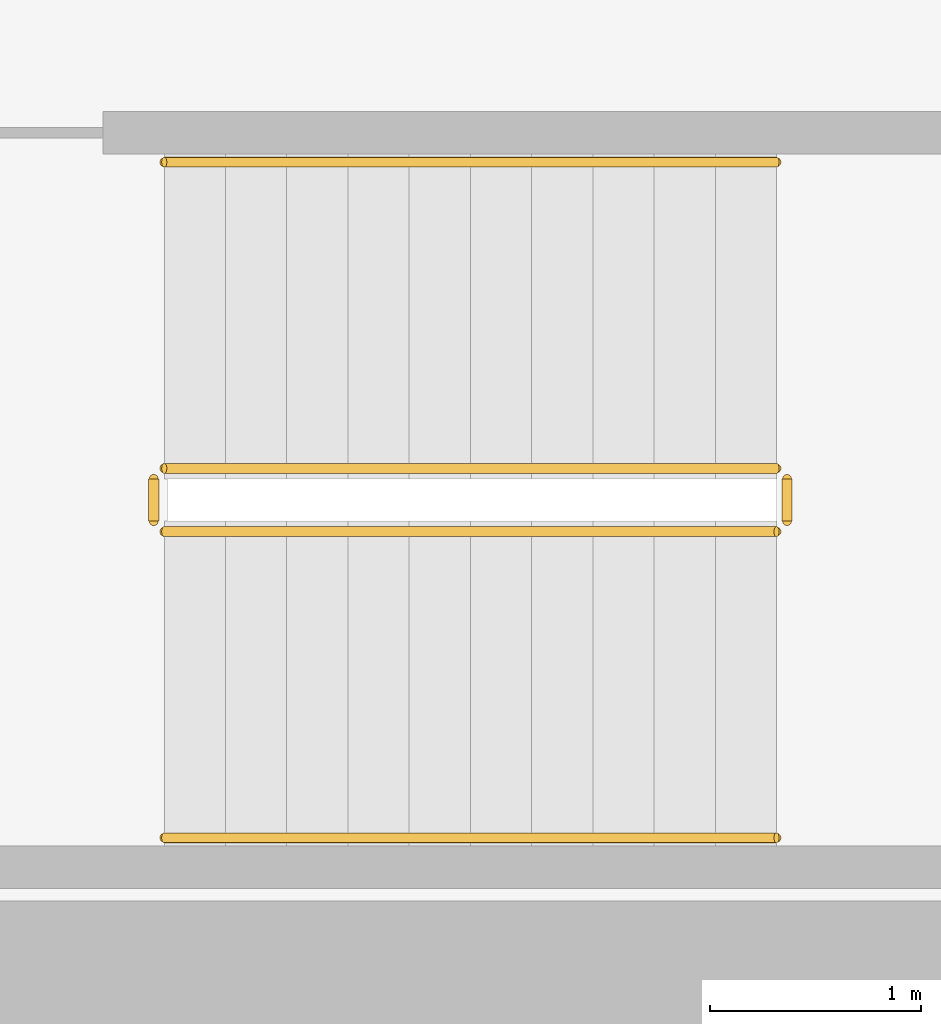
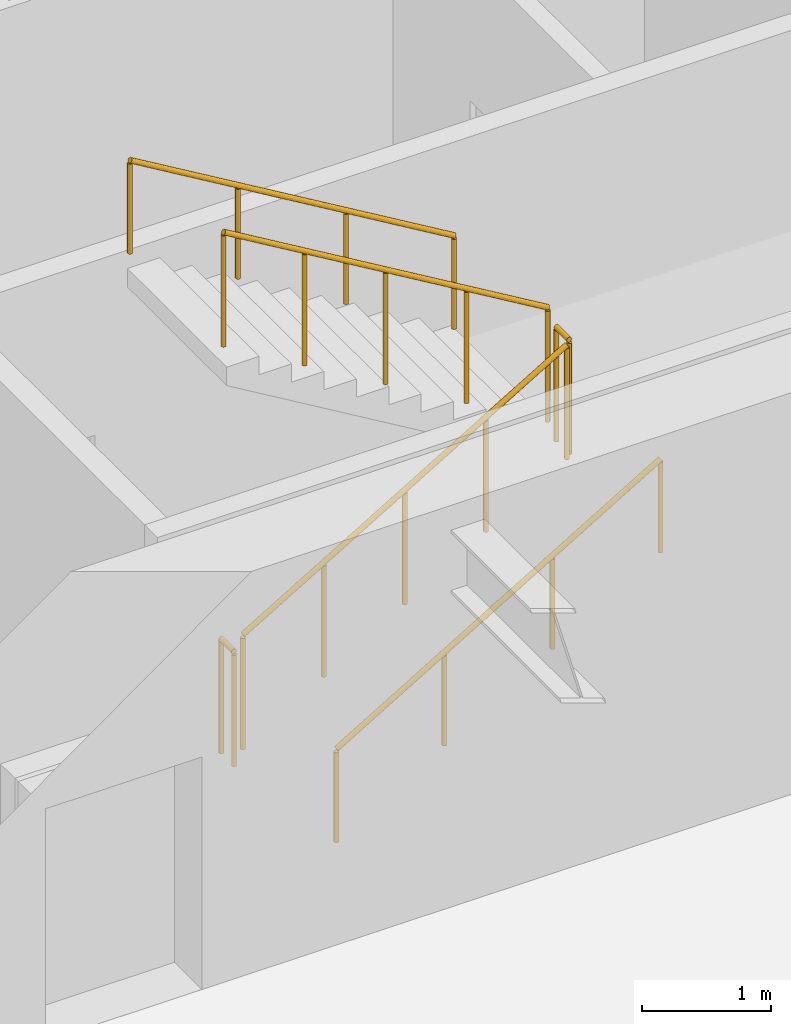
# One storey, part 19 of 20: 6 railings.
"""IFC4 building model written with IfcOpenShell, lengths in metres."""

from ifc_helpers import new_model, si_unit, direction, frame, origin, origin_2d, place, context, subcontext, project, spatial, circle, extrude, material, type_object, element, save


model = new_model("IFC4")

# Units and contexts
model_context = context("Model", 3, precision=1e-05, world=origin(), true_north=direction((0.0, 1.0)))
body_context = subcontext(model_context, "Body", "Model", "MODEL_VIEW")
ifc_project = project(units=[si_unit("LENGTHUNIT", "METRE"), si_unit("AREAUNIT", "SQUARE_METRE"), si_unit("VOLUMEUNIT", "CUBIC_METRE"), si_unit("PLANEANGLEUNIT", "RADIAN"), si_unit("MASSUNIT", "GRAM", prefix="KILO")], contexts=[model_context])

# Site, building, storey
site_placement = place(None, origin())
site = spatial("IfcSite", under=ifc_project, at=site_placement, CompositionType="ELEMENT")
building_placement = place(site_placement, origin())
building = spatial("IfcBuilding", under=site, at=building_placement, Name="Putna Gate Headquarters", CompositionType="ELEMENT")
storey_placement = place(building_placement, frame((0.0, 0.0, 131.60009765625)))
storey = spatial("IfcBuildingStorey", under=building, at=storey_placement, Name="L32", CompositionType="ELEMENT", Elevation=131.60009765625)

# Railings
ifc_material_1 = material(Name="Powder-coated steel stair guardrail", Category="steel")
railing_type_1 = type_object("IfcRailingType", Name="RAIL-STAIR-GUARD-1100", PredefinedType="GUARDRAIL", material=ifc_material_1)
railing_1_placement = place(storey_placement, frame((57.89990234375, 21.10009765625, 0.172607421875)))
element("IfcRailing", 1, at=railing_1_placement, inside=storey, type_object=railing_type_1, Name="L32 ST2 stair guard 1", PredefinedType="GUARDRAIL", context=body_context, shape_type="SweptSolid", body=[
    extrude(circle(Radius=0.02392578125, at=origin_2d()), frame((0.0, 0.0, 1.076171875), z_axis=(0.859160404282, 0.0, 0.51170636083), x_axis=(0.0, 1.0, 0.0)), (0.0, 0.0, 1.0), 3.37548828125),
    extrude(circle(Radius=0.02099609375, at=origin_2d()), origin(), (0.0, 0.0, 1.0), 1.052001953125),
    extrude(circle(Radius=0.02099609375, at=origin_2d()), frame((0.72509765625, 0.0, 0.431884765625)), (0.0, 0.0, 1.0), 1.052001953125),
    extrude(circle(Radius=0.02099609375, at=origin_2d()), frame((1.4501953125, 0.0, 0.86376953125)), (0.0, 0.0, 1.0), 1.052001953125),
    extrude(circle(Radius=0.02099609375, at=origin_2d()), frame((2.175048828125, 0.0, 1.29541015625)), (0.0, 0.0, 1.0), 1.052001953125),
    extrude(circle(Radius=0.02099609375, at=origin_2d()), frame((2.900146484375, 0.0, 1.727294921875)), (0.0, 0.0, 1.0), 1.052001953125),
])
railing_2_placement = place(storey_placement, frame((60.85009765625, 21.14990234375, 1.89990234375)))
element("IfcRailing", 2, at=railing_2_placement, inside=storey, type_object=railing_type_1, Name="L32 ST2 stair guard 2", PredefinedType="GUARDRAIL", context=body_context, shape_type="SweptSolid", body=[
    extrude(circle(Radius=0.02392578125, at=origin_2d()), frame((0.0, 0.0, 1.076171875), z_axis=(0.0, 1.0, 0.0), x_axis=(-1.0, 0.0, 0.0)), (0.0, 0.0, 1.0), 0.2001953125),
    extrude(circle(Radius=0.02099609375, at=origin_2d()), origin(), (0.0, 0.0, 1.0), 1.052001953125),
    extrude(circle(Radius=0.02099609375, at=origin_2d()), frame((0.0, 0.2001953125, 0.0)), (0.0, 0.0, 1.0), 1.052001953125),
])
railing_3_placement = place(storey_placement, frame((60.800048828125, 21.39990234375, 2.072509765625)))
element("IfcRailing", 3, at=railing_3_placement, inside=storey, type_object=railing_type_1, Name="L32 ST2 stair guard 3", PredefinedType="GUARDRAIL", context=body_context, shape_type="SweptSolid", body=[
    extrude(circle(Radius=0.02392578125, at=origin_2d()), frame((0.0, 0.0, 1.076171875), z_axis=(-0.859160404282, 0.0, 0.51170636083), x_axis=(0.0, -1.0, 0.0)), (0.0, 0.0, 1.0), 3.37548828125),
    extrude(circle(Radius=0.02099609375, at=origin_2d()), origin(), (0.0, 0.0, 1.0), 1.052001953125),
    extrude(circle(Radius=0.02099609375, at=origin_2d()), frame((-0.72509765625, 0.0, 0.431884765625)), (0.0, 0.0, 1.0), 1.052001953125),
    extrude(circle(Radius=0.02099609375, at=origin_2d()), frame((-1.4501953125, 0.0, 0.86376953125)), (0.0, 0.0, 1.0), 1.052001953125),
    extrude(circle(Radius=0.02099609375, at=origin_2d()), frame((-2.175048828125, 0.0, 1.29541015625)), (0.0, 0.0, 1.0), 1.052001953125),
    extrude(circle(Radius=0.02099609375, at=origin_2d()), frame((-2.900146484375, 0.0, 1.727294921875)), (0.0, 0.0, 1.0), 1.052001953125),
])
railing_4_placement = place(storey_placement, frame((57.85009765625, 21.14990234375, 0.0)))
element("IfcRailing", 4, at=railing_4_placement, inside=storey, type_object=railing_type_1, Name="L32 ST2 stair guard 4", PredefinedType="GUARDRAIL", context=body_context, shape_type="SweptSolid", body=[
    extrude(circle(Radius=0.02392578125, at=origin_2d()), frame((0.0, 0.0, 1.076171875), z_axis=(0.0, 1.0, 0.0), x_axis=(-1.0, 0.0, 0.0)), (0.0, 0.0, 1.0), 0.2001953125),
    extrude(circle(Radius=0.02099609375, at=origin_2d()), origin(), (0.0, 0.0, 1.0), 1.052001953125),
    extrude(circle(Radius=0.02099609375, at=origin_2d()), frame((0.0, 0.2001953125, 0.0)), (0.0, 0.0, 1.0), 1.052001953125),
])
ifc_material_2 = material(Name="Brushed stainless steel handrail", Category="steel")
railing_type_2 = type_object("IfcRailingType", Name="RAIL-STAIR-HAND-900", PredefinedType="HANDRAIL", material=ifc_material_2)
railing_5_placement = place(storey_placement, frame((57.89990234375, 19.64990234375, 0.172607421875)))
element("IfcRailing", 5, at=railing_5_placement, inside=storey, type_object=railing_type_2, Name="L32 ST2 stair handrail 1", PredefinedType="HANDRAIL", context=body_context, shape_type="SweptSolid", body=[
    extrude(circle(Radius=0.02392578125, at=origin_2d()), frame((0.0, 0.0, 0.8759765625), z_axis=(0.859160404282, 0.0, 0.51170636083), x_axis=(0.0, 1.0, 0.0)), (0.0, 0.0, 1.0), 3.37548828125),
    extrude(circle(Radius=0.02099609375, at=origin_2d()), origin(), (0.0, 0.0, 1.0), 0.851806640625),
    extrude(circle(Radius=0.02099609375, at=origin_2d()), frame((0.966796875, 0.0, 0.57568359375)), (0.0, 0.0, 1.0), 0.851806640625),
    extrude(circle(Radius=0.02099609375, at=origin_2d()), frame((1.933349609375, 0.0, 1.151611328125)), (0.0, 0.0, 1.0), 0.851806640625),
    extrude(circle(Radius=0.02099609375, at=origin_2d()), frame((2.900146484375, 0.0, 1.727294921875)), (0.0, 0.0, 1.0), 0.851806640625),
])
railing_6_placement = place(storey_placement, frame((60.800048828125, 22.85009765625, 2.072509765625)))
element("IfcRailing", 6, at=railing_6_placement, inside=storey, type_object=railing_type_2, Name="L32 ST2 stair handrail 2", PredefinedType="HANDRAIL", context=body_context, shape_type="SweptSolid", body=[
    extrude(circle(Radius=0.02392578125, at=origin_2d()), frame((0.0, 0.0, 0.8759765625), z_axis=(-0.859160404282, 0.0, 0.51170636083), x_axis=(0.0, -1.0, 0.0)), (0.0, 0.0, 1.0), 3.37548828125),
    extrude(circle(Radius=0.02099609375, at=origin_2d()), origin(), (0.0, 0.0, 1.0), 0.851806640625),
    extrude(circle(Radius=0.02099609375, at=origin_2d()), frame((-0.966796875, 0.0, 0.57568359375)), (0.0, 0.0, 1.0), 0.851806640625),
    extrude(circle(Radius=0.02099609375, at=origin_2d()), frame((-1.933349609375, 0.0, 1.151611328125)), (0.0, 0.0, 1.0), 0.851806640625),
    extrude(circle(Radius=0.02099609375, at=origin_2d()), frame((-2.900146484375, 0.0, 1.727294921875)), (0.0, 0.0, 1.0), 0.851806640625),
])

save(model, "model.ifc")
